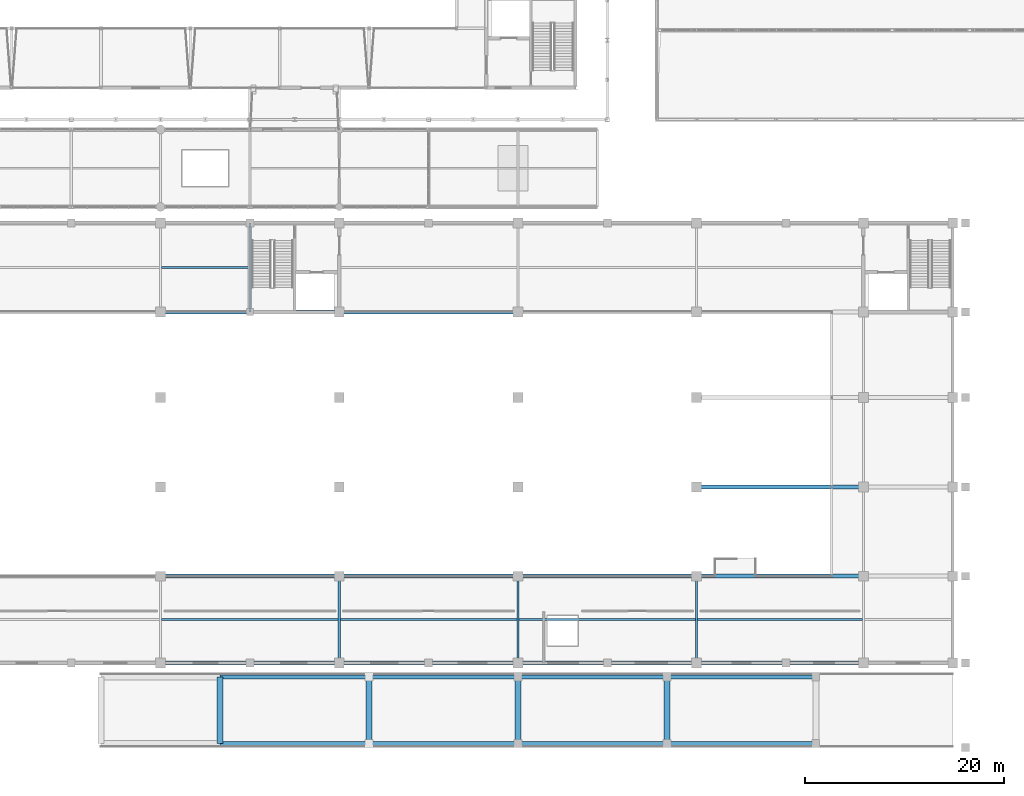
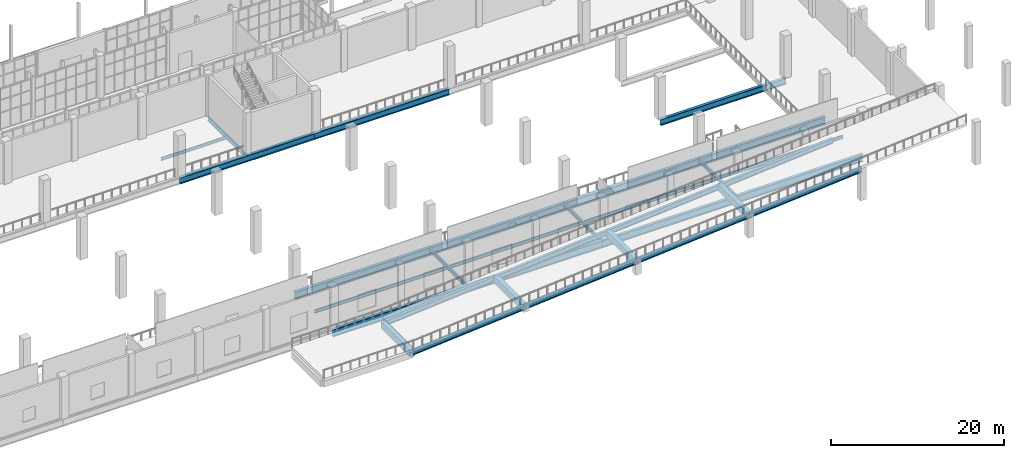
# One storey, part 64 of 159: 32 beams.
"""IFC4 building model written with IfcOpenShell, lengths in metres."""

import ifcopenshell
import ifcopenshell.guid

model = None  # the IFC model being written
_history = None  # IfcOwnerHistory: only IFC2X3 demands one
_inside = {}  # id of a spatial element -> (the spatial element, [elements in it])
_under = {}  # id of a project, library or spatial element -> (it, [spatial elements below it])
_declared = {}  # id of a project -> (the project, [libraries it declares])
_typed = {}  # id of a type object -> (the type object, [elements of that type])
_made_of = {}  # id of a material, layer set ... -> (it, [elements and type objects made of it])


def new_model(schema):
    """Start an empty IFC model of exactly this schema.

    Asked for "IFC4X3", IfcOpenShell would pick the latest addendum, in which some entities
    have other attributes; the version numbers below select the first issue.
    IFC2X3 requires an IfcOwnerHistory on every rooted entity: one is made here for all.
    """
    global model, _history
    if schema == "IFC4X3":
        model = ifcopenshell.file(schema_version=(4, 3, 0, 0))
    else:
        model = ifcopenshell.file(schema=schema)
    _inside.clear()
    _under.clear()
    _declared.clear()
    _typed.clear()
    _made_of.clear()
    _history = None
    if model.schema == "IFC2X3":
        org = make("IfcOrganization", Name="unknown")
        user = make(
            "IfcPersonAndOrganization",
            ThePerson=make("IfcPerson", FamilyName="unknown"),
            TheOrganization=org,
        )
        app = make(
            "IfcApplication",
            ApplicationDeveloper=org,
            Version="unknown",
            ApplicationFullName="unknown",
            ApplicationIdentifier="unknown",
        )
        _history = make(
            "IfcOwnerHistory",
            OwningUser=user,
            OwningApplication=app,
            ChangeAction="ADDED",
            CreationDate=0,
        )
    return model


def make(cls, **values):
    """One entity of the class cls with the attributes given. An attribute that is None is left unset."""
    return model.create_entity(
        cls, **{name: value for name, value in values.items() if value is not None}
    )


def rooted(cls, **values):
    """An entity with a GlobalId (a new one), such as an element, a storey or a relation."""
    return make(cls, GlobalId=ifcopenshell.guid.new(), OwnerHistory=_history, **values)


def si_unit(unit_type, name, prefix=None):
    """IfcSIUnit, for example si_unit("LENGTHUNIT", "METRE", prefix="MILLI")."""
    return make("IfcSIUnit", UnitType=unit_type, Prefix=prefix, Name=name)


def assignment(units):
    """IfcUnitAssignment: the units of a project."""
    return None if units is None else make("IfcUnitAssignment", Units=units)


def point(xyz):
    """IfcCartesianPoint."""
    return None if xyz is None else make("IfcCartesianPoint", Coordinates=xyz)


def direction(xyz):
    """IfcDirection."""
    return None if xyz is None else make("IfcDirection", DirectionRatios=xyz)


def frame(location, z_axis=None, x_axis=None):
    """IfcAxis2Placement3D, a coordinate frame: its origin and axes. An axis left out is left unset."""
    return make(
        "IfcAxis2Placement3D",
        Location=point(location),
        Axis=direction(z_axis),
        RefDirection=direction(x_axis),
    )


def frame_2d(location, x_axis=None):
    """IfcAxis2Placement2D, a coordinate frame in the plane: its origin and x axis."""
    return make(
        "IfcAxis2Placement2D", Location=point(location), RefDirection=direction(x_axis)
    )


def origin():
    """The frame at (0, 0, 0) with its axes left unset."""
    return frame((0.0, 0.0, 0.0))


def origin_2d():
    """The frame at (0, 0) in the plane with its x axis left unset."""
    return frame_2d((0.0, 0.0))


def place(relative_to, where):
    """IfcLocalPlacement: puts the frame where relative to a parent placement (None: the world)."""
    return make(
        "IfcLocalPlacement", PlacementRelTo=relative_to, RelativePlacement=where
    )


def context(
    kind, dimensions, precision=None, world=None, true_north=None, identifier=None
):
    """IfcGeometricRepresentationContext, for example the 3D "Model" context."""
    return make(
        "IfcGeometricRepresentationContext",
        ContextIdentifier=identifier,
        ContextType=kind,
        CoordinateSpaceDimension=dimensions,
        Precision=precision,
        WorldCoordinateSystem=world,
        TrueNorth=true_north,
    )


def subcontext(parent, identifier, kind, view, scale=None):
    """IfcGeometricRepresentationSubContext, for example "Body" below "Model"."""
    return make(
        "IfcGeometricRepresentationSubContext",
        ContextIdentifier=identifier,
        ContextType=kind,
        ParentContext=parent,
        TargetScale=scale,
        TargetView=view,
    )


def project(units=None, contexts=None):
    """IfcProject with its units and contexts."""
    return rooted(
        "IfcProject",
        Name="project",
        RepresentationContexts=contexts,
        UnitsInContext=assignment(units),
    )


def spatial(cls, under=None, at=None, **own):
    """A site, building, storey or space (cls), placed at a placement, below another one or the project."""
    s = rooted(cls, ObjectPlacement=at, **own)
    if under is not None:
        _under.setdefault(under.id(), (under, []))[1].append(s)
    return s


def profile(cls, at=None, kind="AREA", **sizes):
    """A parametric profile (cls). Its sizes go by their IFC names, for example OverallWidth=200.0."""
    return make(cls, ProfileType=kind, Position=at, **sizes)


def rectangle(**sizes):
    """IfcRectangleProfileDef."""
    return profile("IfcRectangleProfileDef", **sizes)


def i_section(**sizes):
    """IfcIShapeProfileDef."""
    return profile("IfcIShapeProfileDef", **sizes)


def extrude(swept, where, along, depth):
    """IfcExtrudedAreaSolid: the profile swept, set in the frame where, extruded along a direction by depth."""
    return make(
        "IfcExtrudedAreaSolid",
        SweptArea=swept,
        Position=where,
        ExtrudedDirection=direction(along),
        Depth=depth,
    )


def shape(context_of_items, identifier, shape_type, items):
    """IfcShapeRepresentation: the items that make up one representation, for example the "Body"."""
    return make(
        "IfcShapeRepresentation",
        ContextOfItems=context_of_items,
        RepresentationIdentifier=identifier,
        RepresentationType=shape_type,
        Items=items,
    )


def material(Name=None, Category=None):
    """IfcMaterial."""
    return make("IfcMaterial", Name=Name, Category=Category)


def material_profile(
    of_material, cross_section, Name=None, Category=None, Priority=None
):
    """IfcMaterialProfile: a cross section and its material."""
    return make(
        "IfcMaterialProfile",
        Name=Name,
        Material=of_material,
        Profile=cross_section,
        Priority=Priority,
        Category=Category,
    )


def profile_set(profiles, Name=None, composite=None):
    """IfcMaterialProfileSet."""
    return make(
        "IfcMaterialProfileSet",
        Name=Name,
        MaterialProfiles=profiles,
        CompositeProfile=composite,
    )


def made_of(thing, what):
    """Note that an element or type object is made of a material, layer set ...; save() writes the relation."""
    if what is not None:
        _made_of.setdefault(what.id(), (what, []))[1].append(thing)
    return thing


def type_object(cls, material=None, **own):
    """A type object (cls), such as IfcWallType, which elements share."""
    return made_of(rooted(cls, **own), material)


def element(
    cls,
    number,
    at=None,
    inside=None,
    cuts=None,
    type_object=None,
    material=None,
    context=None,
    identifier="Body",
    shape_type=None,
    held_by="IfcProductDefinitionShape",
    body=None,
    shapes=None,
    **own,
):
    """One element of the class cls, such as IfcWall. Its Tag is "e" and its number.

    at: its placement. inside: the storey or other place that contains it. cuts: it is an
    opening in that element (IfcRelVoidsElement). A single representation is given by context,
    identifier, shape_type and body (its items); several are given by shapes. held_by: the class
    of the entity that holds the representations. save() writes the other relations.
    """
    e = rooted(cls, Tag="e%d" % number, ObjectPlacement=at, **own)
    if body is not None:
        shapes = [shape(context, identifier, shape_type, body)]
    if shapes is not None:
        e.Representation = make(held_by, Representations=shapes)
    if inside is not None:
        _inside.setdefault(inside.id(), (inside, []))[1].append(e)
    if cuts is not None:
        rooted(
            "IfcRelVoidsElement", RelatingBuildingElement=cuts, RelatedOpeningElement=e
        )
    if type_object is not None:
        _typed.setdefault(type_object.id(), (type_object, []))[1].append(e)
    return made_of(e, material)


def aggregate(whole, parts):
    """IfcRelAggregates: a whole, such as a stair, and the parts it consists of."""
    return rooted("IfcRelAggregates", RelatingObject=whole, RelatedObjects=parts)


def save(model, path):
    """Write the relations noted so far, then the file.

    IfcRelAggregates (storeys below a building ...), IfcRelContainedInSpatialStructure (elements
    in a storey), IfcRelDefinesByType, IfcRelAssociatesMaterial and IfcRelDeclares: one each for
    every whole, place, type object, material and project.
    """
    for whole, parts in _under.values():
        aggregate(whole, parts)
    for where, things in _inside.values():
        rooted(
            "IfcRelContainedInSpatialStructure",
            RelatedElements=things,
            RelatingStructure=where,
        )
    for kind, things in _typed.values():
        rooted("IfcRelDefinesByType", RelatedObjects=things, RelatingType=kind)
    for what, things in _made_of.values():
        rooted("IfcRelAssociatesMaterial", RelatedObjects=things, RelatingMaterial=what)
    for by, libraries in _declared.values():
        rooted("IfcRelDeclares", RelatingContext=by, RelatedDefinitions=libraries)
    model.write(path)


model = new_model("IFC4")

# Units and contexts
model_context = context("Model", 3, precision=1e-05, world=origin(), true_north=direction((0.0, 1.0)))
body_context = subcontext(model_context, "Body", "Model", "MODEL_VIEW")
ifc_project = project(units=[si_unit("LENGTHUNIT", "METRE"), si_unit("AREAUNIT", "SQUARE_METRE"), si_unit("VOLUMEUNIT", "CUBIC_METRE"), si_unit("PLANEANGLEUNIT", "RADIAN"), si_unit("MASSUNIT", "GRAM", prefix="KILO")], contexts=[model_context])

# Site, building, storey
site_placement = place(None, origin())
site = spatial("IfcSite", under=ifc_project, at=site_placement, CompositionType="ELEMENT")
building_placement = place(site_placement, origin())
building = spatial("IfcBuilding", under=site, at=building_placement, Name="Cazmaro Siding Exhibition Halls", CompositionType="ELEMENT")
storey_placement = place(building_placement, frame((0.0, 0.0, 6.0)))
storey = spatial("IfcBuildingStorey", under=building, at=storey_placement, Name="L01", CompositionType="ELEMENT", Elevation=6.0)

# Beams
ifc_material_1 = material(Name="Steel ASTM A992 Grade 50", Category="steel")
ifc_material_profile_1 = material_profile(ifc_material_1, i_section(OverallWidth=0.214111328125, OverallDepth=0.549072265625, WebThickness=0.014892578125, FlangeThickness=0.02392578125, at=origin_2d()), Name="W21X93")
ifc_profile_set_1 = profile_set([ifc_material_profile_1], Name="Steel ASTM A992 Grade 50")
beam_type_1 = type_object("IfcBeamType", Name="B-01", PredefinedType="BEAM", material=ifc_profile_set_1)
for number, where, z_axis, x_axis, name in (
    (1, (144.0, 9.25, -0.52392578125), (0.0, 1.0, 0.0), (-1.0, 0.0, 0.0), "Beam B-01 BM-1284"),
    (2, (162.0, 9.25, -0.52392578125), (0.0, 1.0, 0.0), (-1.0, 0.0, 0.0), "Beam B-01 BM-1286"),
    (3, (180.0, 9.25, -0.52392578125), (0.0, 1.0, 0.0), (-1.0, 0.0, 0.0), "Beam B-01 BM-1288"),
):
    element("IfcBeam", number, at=place(storey_placement, frame(where, z_axis=z_axis, x_axis=x_axis)), inside=storey, type_object=beam_type_1, Name=name, PredefinedType="BEAM", context=body_context, shape_type="SweptSolid", body=[
        extrude(i_section(OverallWidth=0.214111328125, OverallDepth=0.549072265625, WebThickness=0.014892578125, FlangeThickness=0.02392578125, at=origin_2d()), origin(), (0.0, 0.0, 1.0), 8.75),
    ])
beam_1_placement = place(storey_placement, frame((135.0, 44.60009765625, -0.52392578125), z_axis=(0.0, 1.0, 0.0), x_axis=(-1.0, 0.0, 0.0)))
element("IfcBeam", 4, at=beam_1_placement, inside=storey, type_object=beam_type_1, Name="Beam B-01 BM-1308", PredefinedType="BEAM", context=body_context, shape_type="SweptSolid", body=[
    extrude(i_section(OverallWidth=0.214111328125, OverallDepth=0.549072265625, WebThickness=0.014892578125, FlangeThickness=0.02392578125, at=origin_2d()), origin(), (0.0, 0.0, 1.0), 9.0),
])
ifc_material_2 = material(Name="Steel ASTM A992 Grade 50", Category="steel")
ifc_material_profile_2 = material_profile(ifc_material_2, i_section(OverallWidth=0.404052734375, OverallDepth=1.02099609375, WebThickness=0.02490234375, FlangeThickness=0.0458984375, at=origin_2d()), Name="W40X324")
ifc_profile_set_2 = profile_set([ifc_material_profile_2], Name="Steel ASTM A992 Grade 50")
beam_type_2 = type_object("IfcBeamType", Name="G-06", PredefinedType="USERDEFINED", material=ifc_profile_set_2)
for number, where, z_axis, x_axis, name in (
    (5, (126.0, 9.25, -0.760986328125), (1.0, 0.0, 0.0), (0.0, 1.0, 0.0), "Beam G-06 BM-1248"),
    (6, (126.0, 18.0, -0.760986328125), (1.0, 0.0, 0.0), (0.0, 1.0, 0.0), "Beam G-06 BM-1249"),
    (7, (144.0, 9.25, -0.760986328125), (1.0, 0.0, 0.0), (0.0, 1.0, 0.0), "Beam G-06 BM-1253"),
    (8, (144.0, 18.0, -0.760986328125), (1.0, 0.0, 0.0), (0.0, 1.0, 0.0), "Beam G-06 BM-1254"),
    (9, (162.0, 9.25, -0.760986328125), (1.0, 0.0, 0.0), (0.0, 1.0, 0.0), "Beam G-06 BM-1259"),
    (10, (162.0, 18.0, -0.760986328125), (1.0, 0.0, 0.0), (0.0, 1.0, 0.0), "Beam G-06 BM-1260"),
):
    element("IfcBeam", number, at=place(storey_placement, frame(where, z_axis=z_axis, x_axis=x_axis)), inside=storey, type_object=beam_type_2, Name=name, ObjectType="GIRDER", PredefinedType="USERDEFINED", context=body_context, shape_type="SweptSolid", body=[
        extrude(i_section(OverallWidth=0.404052734375, OverallDepth=1.02099609375, WebThickness=0.02490234375, FlangeThickness=0.0458984375, at=origin_2d()), origin(), (0.0, 0.0, 1.0), 18.0),
    ])
for number, where, z_axis, x_axis, name in (
    (11, (180.0, 9.25, -0.760986328125), (1.0, 0.0, 0.0), (0.0, 1.0, 0.0), "Beam G-06 BM-1265"),
    (12, (180.0, 18.0, -0.760986328125), (1.0, 0.0, 0.0), (0.0, 1.0, 0.0), "Beam G-06 BM-1266"),
):
    element("IfcBeam", number, at=place(storey_placement, frame(where, z_axis=z_axis, x_axis=x_axis)), inside=storey, type_object=beam_type_2, Name=name, ObjectType="GIRDER", PredefinedType="USERDEFINED", context=body_context, shape_type="SweptSolid", body=[
        extrude(i_section(OverallWidth=0.404052734375, OverallDepth=1.02099609375, WebThickness=0.02490234375, FlangeThickness=0.0458984375, at=origin_2d()), origin(), (0.0, 0.0, 1.0), 16.800048828125),
    ])
ifc_material_3 = material(Name="Steel ASTM A992 Grade 50", Category="steel")
ifc_material_profile_3 = material_profile(ifc_material_3, i_section(OverallWidth=0.40087890625, OverallDepth=0.85595703125, WebThickness=0.01806640625, FlangeThickness=0.029052734375, at=origin_2d()), Name="W33X201")
ifc_profile_set_3 = profile_set([ifc_material_profile_3], Name="Steel ASTM A992 Grade 50")
beam_type_3 = type_object("IfcBeamType", Name="G-09", PredefinedType="USERDEFINED", material=ifc_profile_set_3)
for number, where, z_axis, x_axis, name in (
    (13, (126.0, 44.60009765625, -0.677978515625), (1.0, 0.0, 0.0), (0.0, 1.0, 0.0), "Beam G-09 BM-1251"),
    (14, (144.0, 44.60009765625, -0.677978515625), (1.0, 0.0, 0.0), (0.0, 1.0, 0.0), "Beam G-09 BM-1256"),
):
    element("IfcBeam", number, at=place(storey_placement, frame(where, z_axis=z_axis, x_axis=x_axis)), inside=storey, type_object=beam_type_3, Name=name, ObjectType="GIRDER", PredefinedType="USERDEFINED", context=body_context, shape_type="SweptSolid", body=[
        extrude(i_section(OverallWidth=0.40087890625, OverallDepth=0.85595703125, WebThickness=0.01806640625, FlangeThickness=0.029052734375, at=origin_2d()), origin(), (0.0, 0.0, 1.0), 18.0),
    ])
beam_2_placement = place(storey_placement, frame((180.0, 27.0, -0.677978515625), z_axis=(1.0, 0.0, 0.0), x_axis=(0.0, 1.0, 0.0)))
element("IfcBeam", 15, at=beam_2_placement, inside=storey, type_object=beam_type_3, Name="Beam G-09 BM-1294", ObjectType="GIRDER", PredefinedType="USERDEFINED", context=body_context, shape_type="SweptSolid", body=[
    extrude(i_section(OverallWidth=0.40087890625, OverallDepth=0.85595703125, WebThickness=0.01806640625, FlangeThickness=0.029052734375, at=origin_2d()), origin(), (0.0, 0.0, 1.0), 16.800048828125),
])
ifc_material_4 = material(Name="Steel ASTM A992 Grade 50", Category="steel")
ifc_material_profile_4 = material_profile(ifc_material_4, i_section(OverallWidth=0.35791015625, OverallDepth=0.7060546875, WebThickness=0.01806640625, FlangeThickness=0.030029296875, at=origin_2d()), Name="W27X178")
ifc_profile_set_4 = profile_set([ifc_material_profile_4], Name="Steel ASTM A992 Grade 50")
beam_type_4 = type_object("IfcBeamType", Name="G-10", PredefinedType="USERDEFINED", material=ifc_profile_set_4)
for number, where, z_axis, x_axis, name in (
    (16, (132.0, 1.14990234375, -0.708984375), (0.996708921679, 0.0, 0.081063712266), (0.0, 1.0, 0.0), "Truck viaduct sloped stringer girder G-10 BM-2457"),
    (17, (132.0, 7.85009765625, -0.708984375), (0.996708921679, 0.0, 0.081063712266), (0.0, 1.0, 0.0), "Truck viaduct sloped stringer girder G-10 BM-2458"),
    (18, (147.0, 1.14990234375, 0.510986328125), (0.996714162526, 0.0, 0.080999248266), (0.0, 1.0, 0.0), "Truck viaduct sloped stringer girder G-10 BM-2459"),
    (19, (147.0, 7.85009765625, 0.510986328125), (0.996714162526, 0.0, 0.080999248266), (0.0, 1.0, 0.0), "Truck viaduct sloped stringer girder G-10 BM-2460"),
    (20, (162.0, 1.14990234375, 1.72998046875), (0.996708921679, 0.0, 0.081063712266), (0.0, 1.0, 0.0), "Truck viaduct sloped stringer girder G-10 BM-2461"),
    (21, (162.0, 7.85009765625, 1.72998046875), (0.996708921679, 0.0, 0.081063712266), (0.0, 1.0, 0.0), "Truck viaduct sloped stringer girder G-10 BM-2462"),
    (22, (177.0, 1.14990234375, 2.949951171875), (0.996714162526, 0.0, 0.080999248266), (0.0, 1.0, 0.0), "Truck viaduct sloped stringer girder G-10 BM-2463"),
    (23, (177.0, 7.85009765625, 2.949951171875), (0.996714162526, 0.0, 0.080999248266), (0.0, 1.0, 0.0), "Truck viaduct sloped stringer girder G-10 BM-2464"),
):
    element("IfcBeam", number, at=place(storey_placement, frame(where, z_axis=z_axis, x_axis=x_axis)), inside=storey, type_object=beam_type_4, Name=name, ObjectType="GIRDER", PredefinedType="USERDEFINED", context=body_context, shape_type="SweptSolid", body=[
        extrude(i_section(OverallWidth=0.35791015625, OverallDepth=0.7060546875, WebThickness=0.01806640625, FlangeThickness=0.030029296875, at=origin_2d()), origin(), (0.0, 0.0, 1.0), 15.049560546875),
    ])
ifc_material_5 = material(Name="Concrete f'c 45 MPa", Category="concrete")
ifc_material_profile_5 = material_profile(ifc_material_5, rectangle(XDim=0.60009765625, YDim=0.949951171875, at=origin_2d()), Name="RC950X600")
ifc_profile_set_5 = profile_set([ifc_material_profile_5], Name="Concrete f'c 45 MPa")
beam_type_5 = type_object("IfcBeamType", Name="G-11", PredefinedType="USERDEFINED", material=ifc_profile_set_5)
for number, where, z_axis, x_axis, name in (
    (24, (132.0, 1.14990234375, -0.824951171875), (0.0, 1.0, 0.0), (-1.0, 0.0, 0.0), "Truck viaduct pier cap beam G-11 BM-2452"),
    (25, (147.0, 1.14990234375, 0.388916015625), (0.0, 1.0, 0.0), (-1.0, 0.0, 0.0), "Truck viaduct pier cap beam G-11 BM-2453"),
    (26, (162.0, 1.14990234375, 1.60791015625), (0.0, 1.0, 0.0), (-1.0, 0.0, 0.0), "Truck viaduct pier cap beam G-11 BM-2454"),
    (27, (177.0, 1.14990234375, 2.827880859375), (0.0, 1.0, 0.0), (-1.0, 0.0, 0.0), "Truck viaduct pier cap beam G-11 BM-2455"),
):
    element("IfcBeam", number, at=place(storey_placement, frame(where, z_axis=z_axis, x_axis=x_axis)), inside=storey, type_object=beam_type_5, Name=name, ObjectType="GIRDER", PredefinedType="USERDEFINED", context=body_context, shape_type="SweptSolid", body=[
        extrude(rectangle(XDim=0.60009765625, YDim=0.949951171875, at=origin_2d()), origin(), (0.0, 0.0, 1.0), 6.7001953125),
    ])
ifc_material_6 = material(Name="Steel ASTM A992 Grade 50", Category="steel")
ifc_material_profile_6 = material_profile(ifc_material_6, i_section(OverallWidth=0.19091796875, OverallDepth=0.45703125, WebThickness=0.009033203125, FlangeThickness=0.013916015625, at=origin_2d()), Name="W18X50")
ifc_profile_set_6 = profile_set([ifc_material_profile_6], Name="Steel ASTM A992 Grade 50")
beam_type_6 = type_object("IfcBeamType", Name="J-01", PredefinedType="JOIST", material=ifc_profile_set_6)
for number, where, z_axis, x_axis, name in (
    (28, (126.10693359375, 13.625, -0.47900390625), (1.0, 0.0, 0.0), (0.0, 1.0, 0.0), "Beam J-01 BM-1250"),
    (29, (144.10693359375, 13.625, -0.47900390625), (1.0, 0.0, 0.0), (0.0, 1.0, 0.0), "Beam J-01 BM-1255"),
    (30, (162.10693359375, 13.625, -0.47900390625), (1.0, 0.0, 0.0), (0.0, 1.0, 0.0), "Beam J-01 BM-1261"),
):
    element("IfcBeam", number, at=place(storey_placement, frame(where, z_axis=z_axis, x_axis=x_axis)), inside=storey, type_object=beam_type_6, Name=name, PredefinedType="JOIST", context=body_context, shape_type="SweptSolid", body=[
        extrude(i_section(OverallWidth=0.19091796875, OverallDepth=0.45703125, WebThickness=0.009033203125, FlangeThickness=0.013916015625, at=origin_2d()), origin(), (0.0, 0.0, 1.0), 17.7861328125),
    ])
beam_3_placement = place(storey_placement, frame((180.10693359375, 13.625, -0.47900390625), z_axis=(1.0, 0.0, 0.0), x_axis=(0.0, 1.0, 0.0)))
element("IfcBeam", 31, at=beam_3_placement, inside=storey, type_object=beam_type_6, Name="Beam J-01 BM-1267", PredefinedType="JOIST", context=body_context, shape_type="SweptSolid", body=[
    extrude(i_section(OverallWidth=0.19091796875, OverallDepth=0.45703125, WebThickness=0.009033203125, FlangeThickness=0.013916015625, at=origin_2d()), origin(), (0.0, 0.0, 1.0), 16.586181640625),
])
ifc_material_7 = material(Name="Steel ASTM A992 Grade 50", Category="steel")
ifc_material_profile_7 = material_profile(ifc_material_7, i_section(OverallWidth=0.180908203125, OverallDepth=0.4169921875, WebThickness=0.010986328125, FlangeThickness=0.01806640625, at=origin_2d()), Name="W16X57")
ifc_profile_set_7 = profile_set([ifc_material_profile_7], Name="Steel ASTM A992 Grade 50")
beam_type_7 = type_object("IfcBeamType", Name="J-03", PredefinedType="JOIST", material=ifc_profile_set_7)
beam_4_placement = place(storey_placement, frame((126.10693359375, 49.10009765625, -0.4580078125), z_axis=(1.0, 0.0, 0.0), x_axis=(0.0, 1.0, 0.0)))
element("IfcBeam", 32, at=beam_4_placement, inside=storey, type_object=beam_type_7, Name="Beam J-03 BM-1310", PredefinedType="JOIST", context=body_context, shape_type="SweptSolid", body=[
    extrude(i_section(OverallWidth=0.180908203125, OverallDepth=0.4169921875, WebThickness=0.010986328125, FlangeThickness=0.01806640625, at=origin_2d()), origin(), (0.0, 0.0, 1.0), 8.7861328125),
])

save(model, "model.ifc")
